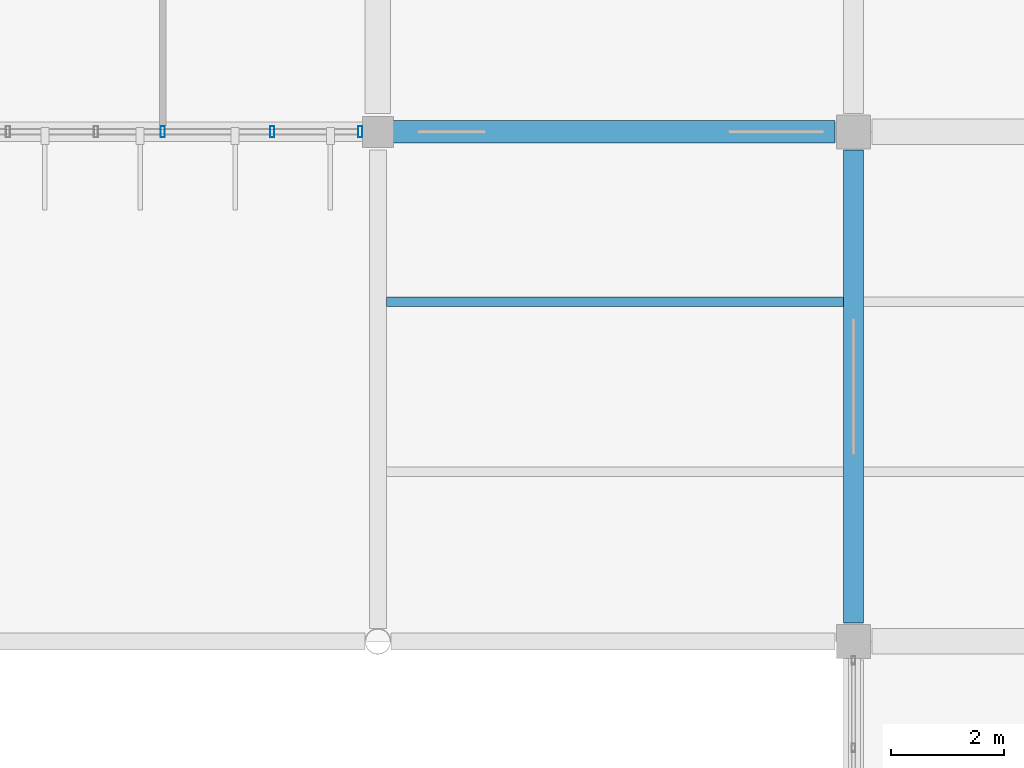
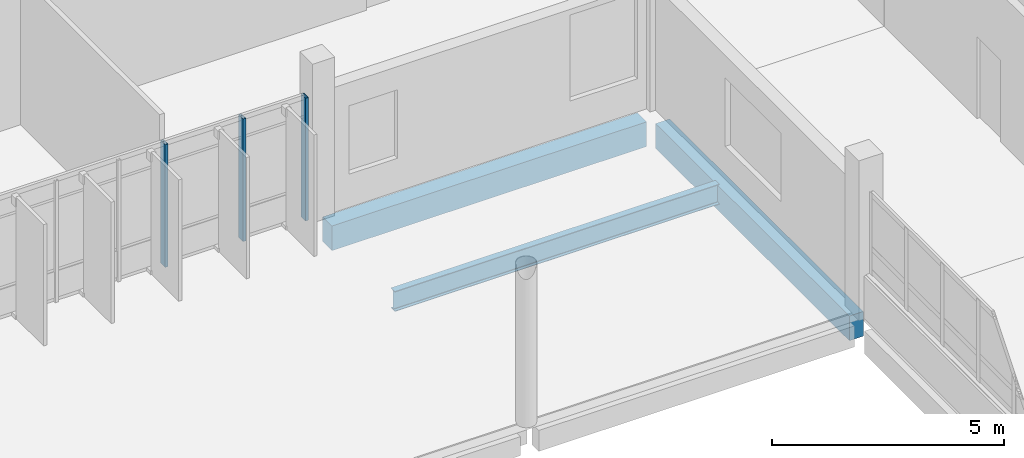
# One storey, part 70 of 130: 3 beams, 3 members, 1 element without a shape of its own.
"""IFC4 building model written with IfcOpenShell, lengths in metres."""

from ifc_helpers import new_model, si_unit, direction, frame, origin, origin_2d, place, context, subcontext, project, spatial, rectangle, hollow_rectangle, i_section, extrude, material, layer, layer_set, material_profile, profile_set, type_object, element, aggregate, save


model = new_model("IFC4")

# Units and contexts
model_context = context("Model", 3, precision=1e-05, world=origin(), true_north=direction((0.0, 1.0)))
body_context = subcontext(model_context, "Body", "Model", "MODEL_VIEW")
ifc_project = project(units=[si_unit("LENGTHUNIT", "METRE"), si_unit("AREAUNIT", "SQUARE_METRE"), si_unit("VOLUMEUNIT", "CUBIC_METRE"), si_unit("PLANEANGLEUNIT", "RADIAN"), si_unit("MASSUNIT", "GRAM", prefix="KILO")], contexts=[model_context])

# Site, building, storey
site_placement = place(None, origin())
site = spatial("IfcSite", under=ifc_project, at=site_placement, CompositionType="ELEMENT")
building_placement = place(site_placement, origin())
building = spatial("IfcBuilding", under=site, at=building_placement, Name="Vireocrest Preparatory School", CompositionType="ELEMENT")
storey_placement = place(building_placement, frame((0.0, 0.0, 9.0)))
storey = spatial("IfcBuildingStorey", under=building, at=storey_placement, Name="L02", CompositionType="ELEMENT", Elevation=9.0)

# Curtain wall, members
ifc_material_1 = material(Name="Thermally broken aluminium EN AW-6063-T6", Category="aluminium")
ifc_layer = layer(ifc_material_1, 0.179931640625)
ifc_layer_set = layer_set([ifc_layer], Name="Thermally broken aluminium EN AW-6063-T6")
curtain_wall_type = type_object("IfcCurtainWallType", Name="Side Facade Curtain Wall 9000x4200", PredefinedType="USERDEFINED", material=ifc_layer_set)
curtain_wall_placement = place(storey_placement, origin())
curtain_wall = element("IfcCurtainWall", 1, at=curtain_wall_placement, inside=storey, type_object=curtain_wall_type, Name="Curtain Wall CW07 CW_L02_CW07_0758_0948_090", ObjectType="CURTAIN WALL", PredefinedType="USERDEFINED")
ifc_material_profile_1 = material_profile(ifc_material_1, hollow_rectangle(XDim=0.074951171875, YDim=0.199951171875, WallThickness=0.0048828125, at=origin_2d()), Name="ALU 75x200x5")
ifc_profile_set_1 = profile_set([ifc_material_profile_1], Name="Thermally broken aluminium EN AW-6063-T6")
member_type = type_object("IfcMemberType", Name="CW Mullion 75x200x5", PredefinedType="MULLION", material=ifc_profile_set_1)
member_1_placement = place(storey_placement, frame((80.199951171875, 94.800048828125, 0.0), z_axis=(0.0, 0.0, 1.0), x_axis=(1.0, 0.0, 0.0)))
member_1 = element("IfcMember", 2, at=member_1_placement, type_object=member_type, Name="CW Mullion ML3 CW_L02_CW07_0758_0948_090-4", PredefinedType="MULLION", context=body_context, shape_type="SweptSolid", body=[
    extrude(hollow_rectangle(XDim=0.074951171875, YDim=0.199951171875, WallThickness=0.0048828125, at=origin_2d()), origin(), (0.0, 0.0, 1.0), 3.22509765625),
])
member_2_placement = place(storey_placement, frame((82.134033203125, 94.800048828125, 0.0), z_axis=(0.0, 0.0, 1.0), x_axis=(1.0, 0.0, 0.0)))
member_2 = element("IfcMember", 3, at=member_2_placement, type_object=member_type, Name="CW Mullion ML3 CW_L02_CW07_0758_0948_090-5", PredefinedType="MULLION", context=body_context, shape_type="SweptSolid", body=[
    extrude(hollow_rectangle(XDim=0.074951171875, YDim=0.199951171875, WallThickness=0.0048828125, at=origin_2d()), origin(), (0.0, 0.0, 1.0), 3.22509765625),
])
member_3_placement = place(storey_placement, frame((83.68994140625, 94.800048828125, 0.0), z_axis=(0.0, 0.0, 1.0), x_axis=(1.0, 0.0, 0.0)))
member_3 = element("IfcMember", 4, at=member_3_placement, type_object=member_type, Name="CW Mullion ML3 CW_L02_CW07_0758_0948_090-6", PredefinedType="MULLION", context=body_context, shape_type="SweptSolid", body=[
    extrude(hollow_rectangle(XDim=0.074951171875, YDim=0.199951171875, WallThickness=0.0048828125, at=origin_2d()), origin(), (0.0, 0.0, 1.0), 3.22509765625),
])
aggregate(curtain_wall, [member_1, member_2, member_3])

# Beams
ifc_material_2 = material(Name="Structural steel ASTM A992 Grade 50", Category="steel")
ifc_material_profile_2 = material_profile(ifc_material_2, i_section(OverallWidth=0.166015625, OverallDepth=0.529052734375, WebThickness=0.009765625, FlangeThickness=0.013671875, FilletRadius=0.014892578125, at=origin_2d()), Name="W21X50")
ifc_profile_set_2 = profile_set([ifc_material_profile_2], Name="Structural steel ASTM A992 Grade 50")
beam_type_1 = type_object("IfcBeamType", Name="Pavilion Roof Joist W21X50", PredefinedType="JOIST", material=ifc_profile_set_2)
beam_1_placement = place(storey_placement, frame((84.14990234375, 91.800048828125, -0.484619140625), z_axis=(1.0, 0.0, 0.0), x_axis=(0.0, 1.0, 0.0)))
element("IfcBeam", 5, at=beam_1_placement, inside=storey, type_object=beam_type_1, Name="Secondary Joist SJ1 L02-0961", PredefinedType="JOIST", context=body_context, shape_type="SweptSolid", body=[
    extrude(i_section(OverallWidth=0.166015625, OverallDepth=0.529052734375, WebThickness=0.009765625, FlangeThickness=0.013671875, FilletRadius=0.014892578125, at=origin_2d()), origin(), (0.0, 0.0, 1.0), 8.0751953125),
])
ifc_material_3 = material(Name="Concrete 40 MPa", Category="concrete")
ifc_material_profile_3 = material_profile(ifc_material_3, rectangle(XDim=0.35009765625, YDim=0.64990234375, at=origin_2d()), Name="RC 350x650")
ifc_profile_set_3 = profile_set([ifc_material_profile_3], Name="Concrete 40 MPa")
beam_type_2 = type_object("IfcBeamType", Name="RC Classroom Girder 350x650", PredefinedType="BEAM", material=ifc_profile_set_3)
beam_2_placement = place(storey_placement, frame((92.39990234375, 86.125, -0.625), z_axis=(0.0, 1.0, 0.0), x_axis=(-1.0, 0.0, 0.0)))
element("IfcBeam", 6, at=beam_2_placement, inside=storey, type_object=beam_type_2, Name="Primary Girder B05 L02-0844", PredefinedType="BEAM", context=body_context, shape_type="SweptSolid", body=[
    extrude(rectangle(XDim=0.35009765625, YDim=0.64990234375, at=origin_2d()), origin(), (0.0, 0.0, 1.0), 8.35009765625),
])
ifc_material_profile_4 = material_profile(ifc_material_3, rectangle(XDim=0.39990234375, YDim=0.64990234375, at=origin_2d()), Name="RC 400x650")
ifc_profile_set_4 = profile_set([ifc_material_profile_4], Name="Concrete 40 MPa")
beam_type_3 = type_object("IfcBeamType", Name="RC Laboratory Girder 400x650", PredefinedType="BEAM", material=ifc_profile_set_4)
beam_3_placement = place(storey_placement, frame((84.25, 94.800048828125, -0.60498046875), z_axis=(1.0, 0.0, 0.0), x_axis=(0.0, 1.0, 0.0)))
element("IfcBeam", 7, at=beam_3_placement, inside=storey, type_object=beam_type_3, Name="Primary Girder B07 L02-0761", PredefinedType="BEAM", context=body_context, shape_type="SweptSolid", body=[
    extrude(rectangle(XDim=0.39990234375, YDim=0.64990234375, at=origin_2d()), origin(), (0.0, 0.0, 1.0), 7.824951171875),
])

save(model, "model.ifc")
